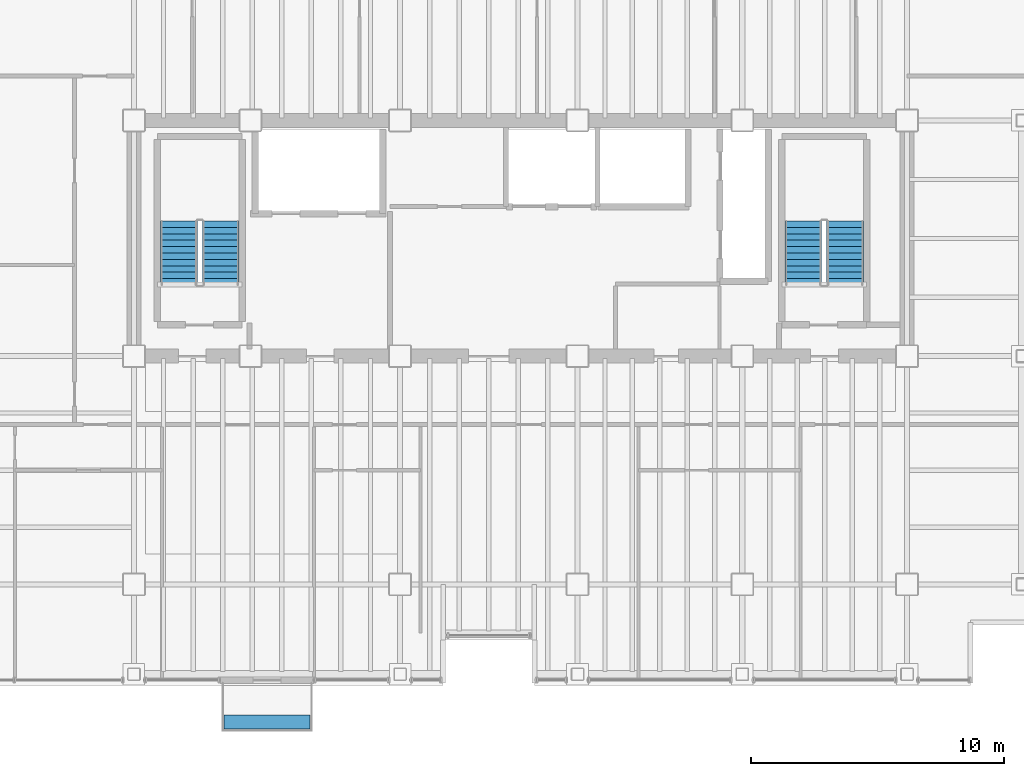
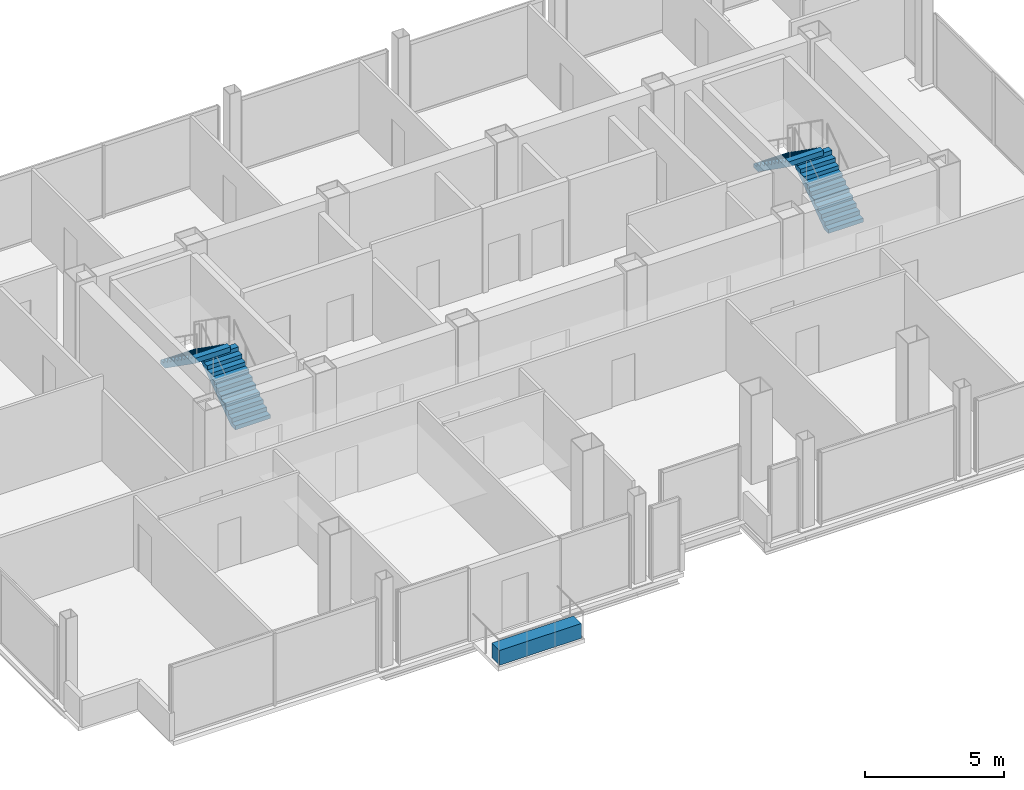
# One storey, part 18 of 19: 4 stair flights, 1 discrete accessory, 2 elements without a shape of their own.
"""IFC4 building model written with IfcOpenShell, lengths in metres."""

from ifc_helpers import new_model, si_unit, direction, frame, origin, origin_2d, place, context, subcontext, project, spatial, polyline, rectangle, outline, extrude, material, layer, layer_set, type_object, element, aggregate, save


model = new_model("IFC4")

# Units and contexts
model_context = context("Model", 3, precision=1e-05, world=origin(), true_north=direction((0.0, 1.0)))
body_context = subcontext(model_context, "Body", "Model", "MODEL_VIEW")
ifc_project = project(units=[si_unit("LENGTHUNIT", "METRE"), si_unit("AREAUNIT", "SQUARE_METRE"), si_unit("VOLUMEUNIT", "CUBIC_METRE"), si_unit("PLANEANGLEUNIT", "RADIAN"), si_unit("MASSUNIT", "GRAM", prefix="KILO")], contexts=[model_context])

# Site, building, storey
site_placement = place(None, origin())
site = spatial("IfcSite", under=ifc_project, at=site_placement, CompositionType="ELEMENT")
building_placement = place(site_placement, origin())
building = spatial("IfcBuilding", under=site, at=building_placement, Name="Noeulbin Bourse Tower", CompositionType="ELEMENT")
storey_placement = place(building_placement, frame((0.0, 0.0, 153.89990234375)))
storey = spatial("IfcBuildingStorey", under=building, at=storey_placement, Name="L38", CompositionType="ELEMENT", Elevation=153.89990234375)

# Stair, stair flights
ifc_material_1 = material(Name="Concrete C40/50", Category="concrete")
stair_type = type_object("IfcStairType", Name="STR-CORE-1560", PredefinedType="HALF_TURN_STAIR", material=ifc_material_1)
stair_1_placement = place(storey_placement, origin())
stair_1 = element("IfcStair", 1, at=stair_1_placement, inside=storey, type_object=stair_type, Name="L38 ST-1", PredefinedType="HALF_TURN_STAIR")
stair_flight_type = type_object("IfcStairFlightType", Name="SFL-CORE-1560", PredefinedType="STRAIGHT", material=ifc_material_1)
stair_flight_1_placement = place(storey_placement, frame((16.925048828125, 31.81005859375, 0.0), z_axis=(0.0, 0.0, 1.0), x_axis=(0.0, 1.0, 0.0)))
stair_flight_1 = element("IfcStairFlight", 2, at=stair_flight_1_placement, type_object=stair_flight_type, Name="ST-1 flight 1", NumberOfRisers=11, NumberOfTreads=10, PredefinedType="STRAIGHT", RiserHeight=0.177272727, TreadLength=0.252, context=body_context, shape_type="SweptSolid", body=[
    extrude(outline(polyline([(0.0, 0.0), (0.0, 0.17724609375), (0.251953125, 0.17724609375), (0.251953125, 0.3544921875), (0.50390625, 0.3544921875), (0.50390625, 0.53173828125), (0.756103515625, 0.53173828125), (0.756103515625, 0.708984375), (1.008056640625, 0.708984375), (1.008056640625, 0.886474609375), (1.260009765625, 0.886474609375), (1.260009765625, 1.063720703125), (1.511962890625, 1.063720703125), (1.511962890625, 1.240966796875), (1.763916015625, 1.240966796875), (1.763916015625, 1.418212890625), (2.01611328125, 1.418212890625), (2.01611328125, 1.595458984375), (2.26806640625, 1.595458984375), (2.26806640625, 1.772705078125), (2.52001953125, 1.772705078125), (2.52001953125, 1.949951171875), (2.52001953125, 1.552734375), (0.312744140625, 0.0), (0.0, 0.0)])), frame((0.0, 0.72509765625, 0.0), z_axis=(0.0, -1.0, 0.0), x_axis=(1.0, 0.0, 0.0)), (0.0, 0.0, 1.0), 1.449951171875),
])
stair_flight_2_placement = place(storey_placement, frame((15.27490234375, 34.330078125, 1.9501953125), z_axis=(0.0, 0.0, 1.0), x_axis=(0.0, -1.0, 0.0)))
stair_flight_2 = element("IfcStairFlight", 3, at=stair_flight_2_placement, type_object=stair_flight_type, Name="ST-1 flight 2", NumberOfRisers=11, NumberOfTreads=10, PredefinedType="STRAIGHT", RiserHeight=0.177272727, TreadLength=0.252, context=body_context, shape_type="SweptSolid", body=[
    extrude(outline(polyline([(0.0, 0.0), (0.0, 0.17724609375), (0.251953125, 0.17724609375), (0.251953125, 0.3544921875), (0.50390625, 0.3544921875), (0.50390625, 0.53173828125), (0.756103515625, 0.53173828125), (0.756103515625, 0.708984375), (1.008056640625, 0.708984375), (1.008056640625, 0.886474609375), (1.260009765625, 0.886474609375), (1.260009765625, 1.063720703125), (1.511962890625, 1.063720703125), (1.511962890625, 1.240966796875), (1.763916015625, 1.240966796875), (1.763916015625, 1.418212890625), (2.01611328125, 1.418212890625), (2.01611328125, 1.595458984375), (2.26806640625, 1.595458984375), (2.26806640625, 1.772705078125), (2.52001953125, 1.772705078125), (2.52001953125, 1.949951171875), (2.52001953125, 1.552734375), (0.312744140625, 0.0), (0.0, 0.0)])), frame((0.0, 0.72509765625, 0.0), z_axis=(0.0, -1.0, 0.0), x_axis=(1.0, 0.0, 0.0)), (0.0, 0.0, 1.0), 1.449951171875),
])
aggregate(stair_1, [stair_flight_1, stair_flight_2])

stair_2_placement = place(storey_placement, origin())
stair_2 = element("IfcStair", 4, at=stair_2_placement, inside=storey, type_object=stair_type, Name="L38 ST-2", PredefinedType="HALF_TURN_STAIR")
stair_flight_3_placement = place(storey_placement, frame((41.554931640625, 31.81005859375, 0.0), z_axis=(0.0, 0.0, 1.0), x_axis=(0.0, 1.0, 0.0)))
stair_flight_3 = element("IfcStairFlight", 5, at=stair_flight_3_placement, type_object=stair_flight_type, Name="ST-2 flight 1", NumberOfRisers=11, NumberOfTreads=10, PredefinedType="STRAIGHT", RiserHeight=0.177272727, TreadLength=0.252, context=body_context, shape_type="SweptSolid", body=[
    extrude(outline(polyline([(0.0, 0.0), (0.0, 0.17724609375), (0.251953125, 0.17724609375), (0.251953125, 0.3544921875), (0.50390625, 0.3544921875), (0.50390625, 0.53173828125), (0.756103515625, 0.53173828125), (0.756103515625, 0.708984375), (1.008056640625, 0.708984375), (1.008056640625, 0.886474609375), (1.260009765625, 0.886474609375), (1.260009765625, 1.063720703125), (1.511962890625, 1.063720703125), (1.511962890625, 1.240966796875), (1.763916015625, 1.240966796875), (1.763916015625, 1.418212890625), (2.01611328125, 1.418212890625), (2.01611328125, 1.595458984375), (2.26806640625, 1.595458984375), (2.26806640625, 1.772705078125), (2.52001953125, 1.772705078125), (2.52001953125, 1.949951171875), (2.52001953125, 1.552734375), (0.312744140625, 0.0), (0.0, 0.0)])), frame((0.0, 0.72509765625, 0.0), z_axis=(0.0, -1.0, 0.0), x_axis=(1.0, 0.0, 0.0)), (0.0, 0.0, 1.0), 1.449951171875),
])
stair_flight_4_placement = place(storey_placement, frame((39.905029296875, 34.330078125, 1.9501953125), z_axis=(0.0, 0.0, 1.0), x_axis=(0.0, -1.0, 0.0)))
stair_flight_4 = element("IfcStairFlight", 6, at=stair_flight_4_placement, type_object=stair_flight_type, Name="ST-2 flight 2", NumberOfRisers=11, NumberOfTreads=10, PredefinedType="STRAIGHT", RiserHeight=0.177272727, TreadLength=0.252, context=body_context, shape_type="SweptSolid", body=[
    extrude(outline(polyline([(0.0, 0.0), (0.0, 0.17724609375), (0.251953125, 0.17724609375), (0.251953125, 0.3544921875), (0.50390625, 0.3544921875), (0.50390625, 0.53173828125), (0.756103515625, 0.53173828125), (0.756103515625, 0.708984375), (1.008056640625, 0.708984375), (1.008056640625, 0.886474609375), (1.260009765625, 0.886474609375), (1.260009765625, 1.063720703125), (1.511962890625, 1.063720703125), (1.511962890625, 1.240966796875), (1.763916015625, 1.240966796875), (1.763916015625, 1.418212890625), (2.01611328125, 1.418212890625), (2.01611328125, 1.595458984375), (2.26806640625, 1.595458984375), (2.26806640625, 1.772705078125), (2.52001953125, 1.772705078125), (2.52001953125, 1.949951171875), (2.52001953125, 1.552734375), (0.312744140625, 0.0), (0.0, 0.0)])), frame((0.0, 0.72509765625, 0.0), z_axis=(0.0, -1.0, 0.0), x_axis=(1.0, 0.0, 0.0)), (0.0, 0.0, 1.0), 1.449951171875),
])
aggregate(stair_2, [stair_flight_3, stair_flight_4])

# Discrete accessory
ifc_material_2 = material(Name="Architectural GFRC Concrete C40/50", Category="concrete")
ifc_layer = layer(ifc_material_2, 0.64990234375)
ifc_layer_set = layer_set([ifc_layer], Name="Architectural GFRC Concrete C40/50")
discrete_accessory_type = type_object("IfcDiscreteAccessoryType", Name="PLANTER-BOX-3600", PredefinedType="USERDEFINED", material=ifc_layer_set)
discrete_accessory_placement = place(storey_placement, frame((18.75, 14.56005859375, 0.000244140625), z_axis=(0.0, 0.0, 1.0), x_axis=(1.0, 0.0, 0.0)))
element("IfcDiscreteAccessory", 7, at=discrete_accessory_placement, inside=storey, type_object=discrete_accessory_type, Name="Integrated Balcony Tree Planter Box L38", ObjectType="PLANTER", PredefinedType="USERDEFINED", context=body_context, shape_type="SweptSolid", body=[
    extrude(rectangle(XDim=3.39990234375, YDim=0.550048828125, at=origin_2d()), origin(), (0.0, 0.0, 1.0), 0.64990234375),
])

save(model, "model.ifc")
